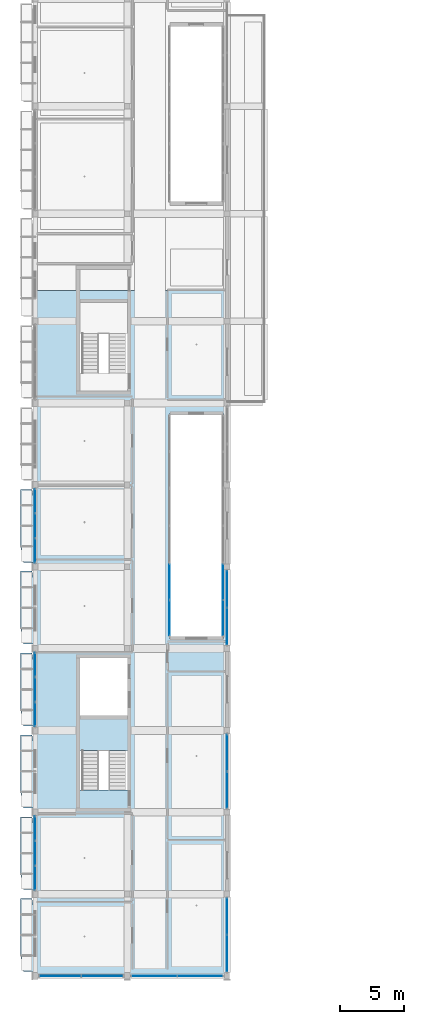
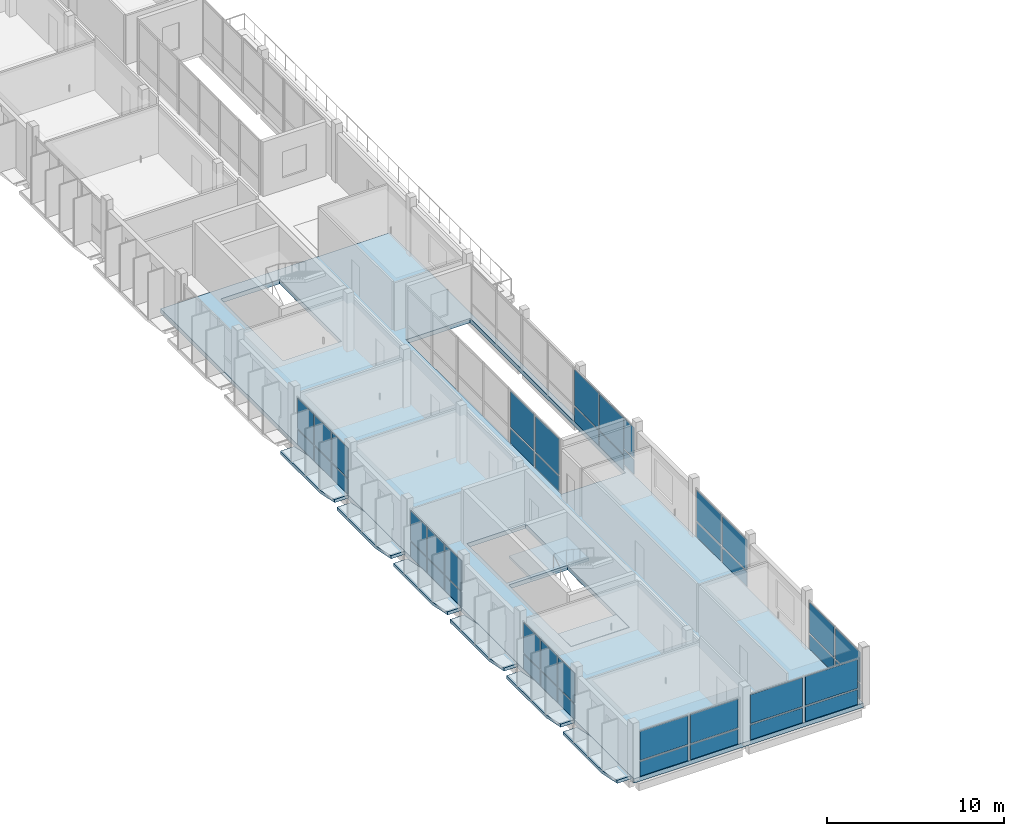
# One storey, part 16 of 48: 46 plates, 9 slabs, 11 elements without a shape of their own.
"""IFC4 building model written with IfcOpenShell, lengths in metres."""

from ifc_helpers import new_model, si_unit, derived_unit, direction, frame, origin, origin_2d, place, context, subcontext, project, spatial, polyline, rectangle, outline, extrude, material, layer, layer_set, type_object, element, aggregate, save


model = new_model("IFC4")

# Units and contexts
model_context = context("Model", 3, precision=1e-05, world=origin(), true_north=direction((0.0, 1.0)))
body_context = subcontext(model_context, "Body", "Model", "MODEL_VIEW")
ifc_project = project(units=[si_unit("LENGTHUNIT", "METRE"), si_unit("AREAUNIT", "SQUARE_METRE"), si_unit("VOLUMEUNIT", "CUBIC_METRE"), si_unit("PLANEANGLEUNIT", "RADIAN"), si_unit("MASSUNIT", "GRAM", prefix="KILO"), derived_unit("THERMALTRANSMITTANCEUNIT", [(si_unit("POWERUNIT", "WATT"), 1), (si_unit("LENGTHUNIT", "METRE"), -2), (si_unit("THERMODYNAMICTEMPERATUREUNIT", "KELVIN"), -1)])], contexts=[model_context])

# Site, building, storey
site_placement = place(None, origin())
site = spatial("IfcSite", under=ifc_project, at=site_placement, CompositionType="ELEMENT")
building_placement = place(site_placement, origin())
building = spatial("IfcBuilding", under=site, at=building_placement, Name="Braskholm Square Health Centre", CompositionType="ELEMENT")
storey_placement = place(building_placement, frame((0.0, 0.0, 17.550048828125)))
storey = spatial("IfcBuildingStorey", under=building, at=storey_placement, Name="L05", CompositionType="ELEMENT", Elevation=17.550048828125)

# Curtain wall, plates
ifc_material_1 = material(Name="Low-E triple insulating glass (VLT 0.64)", Category="glass")
curtain_wall_type_1 = type_object("IfcCurtainWallType", Name="UnitisedCurtainWall6200x3650", PredefinedType="NOTDEFINED", material=ifc_material_1)
curtain_wall_1_placement = place(storey_placement, origin())
curtain_wall_1 = element("IfcCurtainWall", 1, at=curtain_wall_1_placement, inside=storey, type_object=curtain_wall_type_1, Name="West Outer unitised curtain wall CW-L05-0030", PredefinedType="NOTDEFINED")
ifc_material_2 = material(Name="Architectural bronze anodised aluminium", Category="aluminium")
plate_type_1 = type_object("IfcPlateType", Name="CurtainPanelSpandrel1850x1020", PredefinedType="CURTAIN_PANEL", material=ifc_material_2)
plate_1_placement = place(storey_placement, frame((4.199951171875, 15.75341796875, 0.050048828125), z_axis=(0.0, 0.0, 1.0), x_axis=(0.0, -1.0, 0.0)))
plate_1 = element("IfcPlate", 2, at=plate_1_placement, type_object=plate_type_1, Name="CW-L05-0030 spandrel panel 1", PredefinedType="CURTAIN_PANEL", context=body_context, shape_type="SweptSolid", body=[
    extrude(rectangle(XDim=1.836181640625, YDim=0.035888671875, at=origin_2d()), origin(), (0.0, 0.0, 1.0), 1.02001953125),
])
plate_2_placement = place(storey_placement, frame((4.199951171875, 13.800048828125, 0.050048828125), z_axis=(0.0, 0.0, 1.0), x_axis=(0.0, -1.0, 0.0)))
plate_2 = element("IfcPlate", 3, at=plate_2_placement, type_object=plate_type_1, Name="CW-L05-0030 spandrel panel 2", PredefinedType="CURTAIN_PANEL", context=body_context, shape_type="SweptSolid", body=[
    extrude(rectangle(XDim=1.836181640625, YDim=0.035888671875, at=origin_2d()), origin(), (0.0, 0.0, 1.0), 1.02001953125),
])
plate_3_placement = place(storey_placement, frame((4.199951171875, 11.8466796875, 0.050048828125), z_axis=(0.0, 0.0, 1.0), x_axis=(0.0, -1.0, 0.0)))
plate_3 = element("IfcPlate", 4, at=plate_3_placement, type_object=plate_type_1, Name="CW-L05-0030 spandrel panel 3", PredefinedType="CURTAIN_PANEL", context=body_context, shape_type="SweptSolid", body=[
    extrude(rectangle(XDim=1.836181640625, YDim=0.035888671875, at=origin_2d()), origin(), (0.0, 0.0, 1.0), 1.02001953125),
])

curtain_wall_2_placement = place(storey_placement, origin())
curtain_wall_2 = element("IfcCurtainWall", 5, at=curtain_wall_2_placement, inside=storey, type_object=curtain_wall_type_1, Name="West Outer unitised curtain wall CW-L05-0031", PredefinedType="NOTDEFINED")
plate_4_placement = place(storey_placement, frame((4.199951171875, 28.55322265625, 0.050048828125), z_axis=(0.0, 0.0, 1.0), x_axis=(0.0, -1.0, 0.0)))
plate_4 = element("IfcPlate", 6, at=plate_4_placement, type_object=plate_type_1, Name="CW-L05-0031 spandrel panel 1", PredefinedType="CURTAIN_PANEL", context=body_context, shape_type="SweptSolid", body=[
    extrude(rectangle(XDim=1.836181640625, YDim=0.035888671875, at=origin_2d()), origin(), (0.0, 0.0, 1.0), 1.02001953125),
])
plate_5_placement = place(storey_placement, frame((4.199951171875, 26.60009765625, 0.050048828125), z_axis=(0.0, 0.0, 1.0), x_axis=(0.0, -1.0, 0.0)))
plate_5 = element("IfcPlate", 7, at=plate_5_placement, type_object=plate_type_1, Name="CW-L05-0031 spandrel panel 2", PredefinedType="CURTAIN_PANEL", context=body_context, shape_type="SweptSolid", body=[
    extrude(rectangle(XDim=1.836181640625, YDim=0.035888671875, at=origin_2d()), origin(), (0.0, 0.0, 1.0), 1.02001953125),
])
plate_6_placement = place(storey_placement, frame((4.199951171875, 24.646728515625, 0.050048828125), z_axis=(0.0, 0.0, 1.0), x_axis=(0.0, -1.0, 0.0)))
plate_6 = element("IfcPlate", 8, at=plate_6_placement, type_object=plate_type_1, Name="CW-L05-0031 spandrel panel 3", PredefinedType="CURTAIN_PANEL", context=body_context, shape_type="SweptSolid", body=[
    extrude(rectangle(XDim=1.836181640625, YDim=0.035888671875, at=origin_2d()), origin(), (0.0, 0.0, 1.0), 1.02001953125),
])

curtain_wall_3_placement = place(storey_placement, origin())
curtain_wall_3 = element("IfcCurtainWall", 9, at=curtain_wall_3_placement, inside=storey, type_object=curtain_wall_type_1, Name="West Outer unitised curtain wall CW-L05-0032", PredefinedType="NOTDEFINED")
plate_7_placement = place(storey_placement, frame((4.199951171875, 41.353271484375, 0.050048828125), z_axis=(0.0, 0.0, 1.0), x_axis=(0.0, -1.0, 0.0)))
plate_7 = element("IfcPlate", 10, at=plate_7_placement, type_object=plate_type_1, Name="CW-L05-0032 spandrel panel 1", PredefinedType="CURTAIN_PANEL", context=body_context, shape_type="SweptSolid", body=[
    extrude(rectangle(XDim=1.836181640625, YDim=0.035888671875, at=origin_2d()), origin(), (0.0, 0.0, 1.0), 1.02001953125),
])
plate_8_placement = place(storey_placement, frame((4.199951171875, 39.39990234375, 0.050048828125), z_axis=(0.0, 0.0, 1.0), x_axis=(0.0, -1.0, 0.0)))
plate_8 = element("IfcPlate", 11, at=plate_8_placement, type_object=plate_type_1, Name="CW-L05-0032 spandrel panel 2", PredefinedType="CURTAIN_PANEL", context=body_context, shape_type="SweptSolid", body=[
    extrude(rectangle(XDim=1.836181640625, YDim=0.035888671875, at=origin_2d()), origin(), (0.0, 0.0, 1.0), 1.02001953125),
])
plate_9_placement = place(storey_placement, frame((4.199951171875, 37.44677734375, 0.050048828125), z_axis=(0.0, 0.0, 1.0), x_axis=(0.0, -1.0, 0.0)))
plate_9 = element("IfcPlate", 12, at=plate_9_placement, type_object=plate_type_1, Name="CW-L05-0032 spandrel panel 3", PredefinedType="CURTAIN_PANEL", context=body_context, shape_type="SweptSolid", body=[
    extrude(rectangle(XDim=1.836181640625, YDim=0.035888671875, at=origin_2d()), origin(), (0.0, 0.0, 1.0), 1.02001953125),
])

curtain_wall_4_placement = place(storey_placement, origin())
curtain_wall_4 = element("IfcCurtainWall", 13, at=curtain_wall_4_placement, inside=storey, type_object=curtain_wall_type_1, Name="West Valley unitised curtain wall CW-L05-0102", PredefinedType="NOTDEFINED")
plate_type_2 = type_object("IfcPlateType", Name="CurtainPanelSpandrel2750x1020", PredefinedType="CURTAIN_PANEL", material=ifc_material_2)
plate_10_placement = place(storey_placement, frame((19.199951171875, 5.960205078125, 0.050048828125), z_axis=(0.0, 0.0, 1.0), x_axis=(0.0, 1.0, 0.0)))
plate_10 = element("IfcPlate", 14, at=plate_10_placement, type_object=plate_type_2, Name="CW-L05-0102 spandrel panel 1", PredefinedType="CURTAIN_PANEL", context=body_context, shape_type="SweptSolid", body=[
    extrude(rectangle(XDim=2.768310546875, YDim=0.035888671875, at=origin_2d()), origin(), (0.0, 0.0, 1.0), 1.02001953125),
])
plate_11_placement = place(storey_placement, frame((19.199951171875, 8.869873046875, 0.050048828125), z_axis=(0.0, 0.0, 1.0), x_axis=(0.0, 1.0, 0.0)))
plate_11 = element("IfcPlate", 15, at=plate_11_placement, type_object=plate_type_2, Name="CW-L05-0102 spandrel panel 2", PredefinedType="CURTAIN_PANEL", context=body_context, shape_type="SweptSolid", body=[
    extrude(rectangle(XDim=2.768310546875, YDim=0.035888671875, at=origin_2d()), origin(), (0.0, 0.0, 1.0), 1.02001953125),
])

curtain_wall_5_placement = place(storey_placement, origin())
curtain_wall_5 = element("IfcCurtainWall", 16, at=curtain_wall_5_placement, inside=storey, type_object=curtain_wall_type_1, Name="West Valley unitised curtain wall CW-L05-0103", PredefinedType="NOTDEFINED")
plate_12_placement = place(storey_placement, frame((19.199951171875, 18.73779296875, 0.050048828125), z_axis=(0.0, 0.0, 1.0), x_axis=(0.0, 1.0, 0.0)))
plate_12 = element("IfcPlate", 17, at=plate_12_placement, type_object=plate_type_2, Name="CW-L05-0103 spandrel panel 1", PredefinedType="CURTAIN_PANEL", context=body_context, shape_type="SweptSolid", body=[
    extrude(rectangle(XDim=2.782470703125, YDim=0.035888671875, at=origin_2d()), origin(), (0.0, 0.0, 1.0), 1.02001953125),
])
plate_13_placement = place(storey_placement, frame((19.199951171875, 21.662109375, 0.050048828125), z_axis=(0.0, 0.0, 1.0), x_axis=(0.0, 1.0, 0.0)))
plate_13 = element("IfcPlate", 18, at=plate_13_placement, type_object=plate_type_2, Name="CW-L05-0103 spandrel panel 2", PredefinedType="CURTAIN_PANEL", context=body_context, shape_type="SweptSolid", body=[
    extrude(rectangle(XDim=2.782470703125, YDim=0.035888671875, at=origin_2d()), origin(), (0.0, 0.0, 1.0), 1.02001953125),
])

curtain_wall_6_placement = place(storey_placement, origin())
curtain_wall_6 = element("IfcCurtainWall", 19, at=curtain_wall_6_placement, inside=storey, type_object=curtain_wall_type_1, Name="West Valley unitised curtain wall CW-L05-0104", PredefinedType="NOTDEFINED")
plate_14_placement = place(storey_placement, frame((19.199951171875, 31.537841796875, 0.050048828125), z_axis=(0.0, 0.0, 1.0), x_axis=(0.0, 1.0, 0.0)))
plate_14 = element("IfcPlate", 20, at=plate_14_placement, type_object=plate_type_2, Name="CW-L05-0104 spandrel panel 1", PredefinedType="CURTAIN_PANEL", context=body_context, shape_type="SweptSolid", body=[
    extrude(rectangle(XDim=2.782470703125, YDim=0.035888671875, at=origin_2d()), origin(), (0.0, 0.0, 1.0), 1.02001953125),
])
plate_15_placement = place(storey_placement, frame((19.199951171875, 34.462158203125, 0.050048828125), z_axis=(0.0, 0.0, 1.0), x_axis=(0.0, 1.0, 0.0)))
plate_15 = element("IfcPlate", 21, at=plate_15_placement, type_object=plate_type_2, Name="CW-L05-0104 spandrel panel 2", PredefinedType="CURTAIN_PANEL", context=body_context, shape_type="SweptSolid", body=[
    extrude(rectangle(XDim=2.782470703125, YDim=0.035888671875, at=origin_2d()), origin(), (0.0, 0.0, 1.0), 1.02001953125),
])

curtain_wall_type_2 = type_object("IfcCurtainWallType", Name="UnitisedCurtainWall5400x3800", PredefinedType="NOTDEFINED", material=ifc_material_1)
curtain_wall_7_placement = place(storey_placement, origin())
curtain_wall_7 = element("IfcCurtainWall", 22, at=curtain_wall_7_placement, inside=storey, type_object=curtain_wall_type_2, Name="WC1 Court W unitised curtain wall CW-L05-0273", PredefinedType="NOTDEFINED")
plate_16_placement = place(storey_placement, frame((14.699951171875, 32.187744140625, 0.050048828125), z_axis=(0.0, 0.0, 1.0), x_axis=(0.0, 1.0, 0.0)))
plate_16 = element("IfcPlate", 23, at=plate_16_placement, type_object=plate_type_2, Name="CW-L05-0273 spandrel panel 1", PredefinedType="CURTAIN_PANEL", context=body_context, shape_type="SweptSolid", body=[
    extrude(rectangle(XDim=2.689208984375, YDim=0.035888671875, at=origin_2d()), origin(), (0.0, 0.0, 1.0), 1.02001953125),
])
plate_17_placement = place(storey_placement, frame((14.699951171875, 35.014404296875, 0.050048828125), z_axis=(0.0, 0.0, 1.0), x_axis=(0.0, 1.0, 0.0)))
plate_17 = element("IfcPlate", 24, at=plate_17_placement, type_object=plate_type_2, Name="CW-L05-0273 spandrel panel 2", PredefinedType="CURTAIN_PANEL", context=body_context, shape_type="SweptSolid", body=[
    extrude(rectangle(XDim=2.689208984375, YDim=0.035888671875, at=origin_2d()), origin(), (0.0, 0.0, 1.0), 1.02001953125),
])

curtain_wall_8_placement = place(storey_placement, origin())
curtain_wall_8 = element("IfcCurtainWall", 25, at=curtain_wall_8_placement, inside=storey, type_object=curtain_wall_type_2, Name="WC1 Court E unitised curtain wall CW-L05-0274", PredefinedType="NOTDEFINED")
plate_18_placement = place(storey_placement, frame((18.89990234375, 35.014404296875, 0.050048828125), z_axis=(0.0, 0.0, 1.0), x_axis=(0.0, -1.0, 0.0)))
plate_18 = element("IfcPlate", 26, at=plate_18_placement, type_object=plate_type_2, Name="CW-L05-0274 spandrel panel 1", PredefinedType="CURTAIN_PANEL", context=body_context, shape_type="SweptSolid", body=[
    extrude(rectangle(XDim=2.689208984375, YDim=0.035888671875, at=origin_2d()), origin(), (0.0, 0.0, 1.0), 1.02001953125),
])
plate_19_placement = place(storey_placement, frame((18.89990234375, 32.187744140625, 0.050048828125), z_axis=(0.0, 0.0, 1.0), x_axis=(0.0, -1.0, 0.0)))
plate_19 = element("IfcPlate", 27, at=plate_19_placement, type_object=plate_type_2, Name="CW-L05-0274 spandrel panel 2", PredefinedType="CURTAIN_PANEL", context=body_context, shape_type="SweptSolid", body=[
    extrude(rectangle(XDim=2.689208984375, YDim=0.035888671875, at=origin_2d()), origin(), (0.0, 0.0, 1.0), 1.02001953125),
])

curtain_wall_9_placement = place(storey_placement, origin())
curtain_wall_9 = element("IfcCurtainWall", 28, at=curtain_wall_9_placement, inside=storey, type_object=curtain_wall_type_1, Name="Wing End unitised curtain wall CW-L05-0149", PredefinedType="NOTDEFINED")
plate_type_3 = type_object("IfcPlateType", Name="CurtainPanelSpandrel3150x1020", PredefinedType="CURTAIN_PANEL", material=ifc_material_2)
plate_20_placement = place(storey_placement, frame((6.159912109375, 4.199951171875, 0.050048828125), z_axis=(0.0, 0.0, 1.0), x_axis=(1.0, 0.0, 0.0)))
plate_20 = element("IfcPlate", 29, at=plate_20_placement, type_object=plate_type_3, Name="CW-L05-0149 spandrel panel 1", PredefinedType="CURTAIN_PANEL", context=body_context, shape_type="SweptSolid", body=[
    extrude(rectangle(XDim=3.120849609375, YDim=0.035888671875, at=origin_2d()), origin(), (0.0, 0.0, 1.0), 1.02001953125),
])
plate_21_placement = place(storey_placement, frame((9.440185546875, 4.199951171875, 0.050048828125), z_axis=(0.0, 0.0, 1.0), x_axis=(1.0, 0.0, 0.0)))
plate_21 = element("IfcPlate", 30, at=plate_21_placement, type_object=plate_type_3, Name="CW-L05-0149 spandrel panel 2", PredefinedType="CURTAIN_PANEL", context=body_context, shape_type="SweptSolid", body=[
    extrude(rectangle(XDim=3.120849609375, YDim=0.035888671875, at=origin_2d()), origin(), (0.0, 0.0, 1.0), 1.02001953125),
])

curtain_wall_10_placement = place(storey_placement, origin())
curtain_wall_10 = element("IfcCurtainWall", 31, at=curtain_wall_10_placement, inside=storey, type_object=curtain_wall_type_1, Name="Wing End unitised curtain wall CW-L05-0150", PredefinedType="NOTDEFINED")
plate_22_placement = place(storey_placement, frame((13.51171875, 4.199951171875, 0.050048828125), z_axis=(0.0, 0.0, 1.0), x_axis=(1.0, 0.0, 0.0)))
plate_22 = element("IfcPlate", 32, at=plate_22_placement, type_object=plate_type_3, Name="CW-L05-0150 spandrel panel 1", PredefinedType="CURTAIN_PANEL", context=body_context, shape_type="SweptSolid", body=[
    extrude(rectangle(XDim=3.40283203125, YDim=0.035888671875, at=origin_2d()), origin(), (0.0, 0.0, 1.0), 1.02001953125),
])
plate_23_placement = place(storey_placement, frame((17.08837890625, 4.199951171875, 0.050048828125), z_axis=(0.0, 0.0, 1.0), x_axis=(1.0, 0.0, 0.0)))
plate_23 = element("IfcPlate", 33, at=plate_23_placement, type_object=plate_type_3, Name="CW-L05-0150 spandrel panel 2", PredefinedType="CURTAIN_PANEL", context=body_context, shape_type="SweptSolid", body=[
    extrude(rectangle(XDim=3.40283203125, YDim=0.035888671875, at=origin_2d()), origin(), (0.0, 0.0, 1.0), 1.02001953125),
])

# Plate
plate_type_4 = type_object("IfcPlateType", Name="CurtainPanelVision1850x2120", PredefinedType="CURTAIN_PANEL", material=ifc_material_1)
plate_24_placement = place(storey_placement, frame((4.199951171875, 15.75341796875, 1.169921875), z_axis=(0.0, 0.0, 1.0), x_axis=(0.0, -1.0, 0.0)))
plate_24 = element("IfcPlate", 34, at=plate_24_placement, type_object=plate_type_4, Name="CW-L05-0030 vision glass panel 1", PredefinedType="CURTAIN_PANEL", context=body_context, shape_type="SweptSolid", body=[
    extrude(rectangle(XDim=1.836181640625, YDim=0.035888671875, at=origin_2d()), origin(), (0.0, 0.0, 1.0), 2.070068359375),
])

plate_25_placement = place(storey_placement, frame((4.199951171875, 13.800048828125, 1.169921875), z_axis=(0.0, 0.0, 1.0), x_axis=(0.0, -1.0, 0.0)))
plate_25 = element("IfcPlate", 35, at=plate_25_placement, type_object=plate_type_4, Name="CW-L05-0030 vision glass panel 2", PredefinedType="CURTAIN_PANEL", context=body_context, shape_type="SweptSolid", body=[
    extrude(rectangle(XDim=1.836181640625, YDim=0.035888671875, at=origin_2d()), origin(), (0.0, 0.0, 1.0), 2.070068359375),
])

plate_26_placement = place(storey_placement, frame((4.199951171875, 11.8466796875, 1.169921875), z_axis=(0.0, 0.0, 1.0), x_axis=(0.0, -1.0, 0.0)))
plate_26 = element("IfcPlate", 36, at=plate_26_placement, type_object=plate_type_4, Name="CW-L05-0030 vision glass panel 3", PredefinedType="CURTAIN_PANEL", context=body_context, shape_type="SweptSolid", body=[
    extrude(rectangle(XDim=1.836181640625, YDim=0.035888671875, at=origin_2d()), origin(), (0.0, 0.0, 1.0), 2.070068359375),
])

aggregate(curtain_wall_1, [plate_1, plate_24, plate_2, plate_25, plate_3, plate_26])

plate_27_placement = place(storey_placement, frame((4.199951171875, 28.55322265625, 1.169921875), z_axis=(0.0, 0.0, 1.0), x_axis=(0.0, -1.0, 0.0)))
plate_27 = element("IfcPlate", 37, at=plate_27_placement, type_object=plate_type_4, Name="CW-L05-0031 vision glass panel 1", PredefinedType="CURTAIN_PANEL", context=body_context, shape_type="SweptSolid", body=[
    extrude(rectangle(XDim=1.836181640625, YDim=0.035888671875, at=origin_2d()), origin(), (0.0, 0.0, 1.0), 2.070068359375),
])

plate_28_placement = place(storey_placement, frame((4.199951171875, 26.60009765625, 1.169921875), z_axis=(0.0, 0.0, 1.0), x_axis=(0.0, -1.0, 0.0)))
plate_28 = element("IfcPlate", 38, at=plate_28_placement, type_object=plate_type_4, Name="CW-L05-0031 vision glass panel 2", PredefinedType="CURTAIN_PANEL", context=body_context, shape_type="SweptSolid", body=[
    extrude(rectangle(XDim=1.836181640625, YDim=0.035888671875, at=origin_2d()), origin(), (0.0, 0.0, 1.0), 2.070068359375),
])

plate_29_placement = place(storey_placement, frame((4.199951171875, 24.646728515625, 1.169921875), z_axis=(0.0, 0.0, 1.0), x_axis=(0.0, -1.0, 0.0)))
plate_29 = element("IfcPlate", 39, at=plate_29_placement, type_object=plate_type_4, Name="CW-L05-0031 vision glass panel 3", PredefinedType="CURTAIN_PANEL", context=body_context, shape_type="SweptSolid", body=[
    extrude(rectangle(XDim=1.836181640625, YDim=0.035888671875, at=origin_2d()), origin(), (0.0, 0.0, 1.0), 2.070068359375),
])

aggregate(curtain_wall_2, [plate_4, plate_27, plate_5, plate_28, plate_6, plate_29])

plate_30_placement = place(storey_placement, frame((4.199951171875, 41.353271484375, 1.169921875), z_axis=(0.0, 0.0, 1.0), x_axis=(0.0, -1.0, 0.0)))
plate_30 = element("IfcPlate", 40, at=plate_30_placement, type_object=plate_type_4, Name="CW-L05-0032 vision glass panel 1", PredefinedType="CURTAIN_PANEL", context=body_context, shape_type="SweptSolid", body=[
    extrude(rectangle(XDim=1.836181640625, YDim=0.035888671875, at=origin_2d()), origin(), (0.0, 0.0, 1.0), 2.070068359375),
])

plate_31_placement = place(storey_placement, frame((4.199951171875, 39.39990234375, 1.169921875), z_axis=(0.0, 0.0, 1.0), x_axis=(0.0, -1.0, 0.0)))
plate_31 = element("IfcPlate", 41, at=plate_31_placement, type_object=plate_type_4, Name="CW-L05-0032 vision glass panel 2", PredefinedType="CURTAIN_PANEL", context=body_context, shape_type="SweptSolid", body=[
    extrude(rectangle(XDim=1.836181640625, YDim=0.035888671875, at=origin_2d()), origin(), (0.0, 0.0, 1.0), 2.070068359375),
])

plate_32_placement = place(storey_placement, frame((4.199951171875, 37.44677734375, 1.169921875), z_axis=(0.0, 0.0, 1.0), x_axis=(0.0, -1.0, 0.0)))
plate_32 = element("IfcPlate", 42, at=plate_32_placement, type_object=plate_type_4, Name="CW-L05-0032 vision glass panel 3", PredefinedType="CURTAIN_PANEL", context=body_context, shape_type="SweptSolid", body=[
    extrude(rectangle(XDim=1.836181640625, YDim=0.035888671875, at=origin_2d()), origin(), (0.0, 0.0, 1.0), 2.070068359375),
])

aggregate(curtain_wall_3, [plate_7, plate_30, plate_8, plate_31, plate_9, plate_32])

plate_type_5 = type_object("IfcPlateType", Name="CurtainPanelVision2750x2120", PredefinedType="CURTAIN_PANEL", material=ifc_material_1)
plate_33_placement = place(storey_placement, frame((19.199951171875, 5.960205078125, 1.169921875), z_axis=(0.0, 0.0, 1.0), x_axis=(0.0, 1.0, 0.0)))
plate_33 = element("IfcPlate", 43, at=plate_33_placement, type_object=plate_type_5, Name="CW-L05-0102 vision glass panel 1", PredefinedType="CURTAIN_PANEL", context=body_context, shape_type="SweptSolid", body=[
    extrude(rectangle(XDim=2.768310546875, YDim=0.035888671875, at=origin_2d()), origin(), (0.0, 0.0, 1.0), 2.110107421875),
])

plate_34_placement = place(storey_placement, frame((19.199951171875, 8.869873046875, 1.169921875), z_axis=(0.0, 0.0, 1.0), x_axis=(0.0, 1.0, 0.0)))
plate_34 = element("IfcPlate", 44, at=plate_34_placement, type_object=plate_type_5, Name="CW-L05-0102 vision glass panel 2", PredefinedType="CURTAIN_PANEL", context=body_context, shape_type="SweptSolid", body=[
    extrude(rectangle(XDim=2.768310546875, YDim=0.035888671875, at=origin_2d()), origin(), (0.0, 0.0, 1.0), 2.110107421875),
])

aggregate(curtain_wall_4, [plate_10, plate_33, plate_11, plate_34])

plate_35_placement = place(storey_placement, frame((19.199951171875, 18.73779296875, 1.169921875), z_axis=(0.0, 0.0, 1.0), x_axis=(0.0, 1.0, 0.0)))
plate_35 = element("IfcPlate", 45, at=plate_35_placement, type_object=plate_type_5, Name="CW-L05-0103 vision glass panel 1", PredefinedType="CURTAIN_PANEL", context=body_context, shape_type="SweptSolid", body=[
    extrude(rectangle(XDim=2.782470703125, YDim=0.035888671875, at=origin_2d()), origin(), (0.0, 0.0, 1.0), 2.110107421875),
])

plate_36_placement = place(storey_placement, frame((19.199951171875, 21.662109375, 1.169921875), z_axis=(0.0, 0.0, 1.0), x_axis=(0.0, 1.0, 0.0)))
plate_36 = element("IfcPlate", 46, at=plate_36_placement, type_object=plate_type_5, Name="CW-L05-0103 vision glass panel 2", PredefinedType="CURTAIN_PANEL", context=body_context, shape_type="SweptSolid", body=[
    extrude(rectangle(XDim=2.782470703125, YDim=0.035888671875, at=origin_2d()), origin(), (0.0, 0.0, 1.0), 2.110107421875),
])

aggregate(curtain_wall_5, [plate_12, plate_35, plate_13, plate_36])

plate_37_placement = place(storey_placement, frame((19.199951171875, 31.537841796875, 1.169921875), z_axis=(0.0, 0.0, 1.0), x_axis=(0.0, 1.0, 0.0)))
plate_37 = element("IfcPlate", 47, at=plate_37_placement, type_object=plate_type_5, Name="CW-L05-0104 vision glass panel 1", PredefinedType="CURTAIN_PANEL", context=body_context, shape_type="SweptSolid", body=[
    extrude(rectangle(XDim=2.782470703125, YDim=0.035888671875, at=origin_2d()), origin(), (0.0, 0.0, 1.0), 2.110107421875),
])

plate_38_placement = place(storey_placement, frame((19.199951171875, 34.462158203125, 1.169921875), z_axis=(0.0, 0.0, 1.0), x_axis=(0.0, 1.0, 0.0)))
plate_38 = element("IfcPlate", 48, at=plate_38_placement, type_object=plate_type_5, Name="CW-L05-0104 vision glass panel 2", PredefinedType="CURTAIN_PANEL", context=body_context, shape_type="SweptSolid", body=[
    extrude(rectangle(XDim=2.782470703125, YDim=0.035888671875, at=origin_2d()), origin(), (0.0, 0.0, 1.0), 2.110107421875),
])

aggregate(curtain_wall_6, [plate_14, plate_37, plate_15, plate_38])

plate_type_6 = type_object("IfcPlateType", Name="CurtainPanelVision2750x2520", PredefinedType="CURTAIN_PANEL", material=ifc_material_1)
plate_39_placement = place(storey_placement, frame((14.699951171875, 32.187744140625, 1.169921875), z_axis=(0.0, 0.0, 1.0), x_axis=(0.0, 1.0, 0.0)))
plate_39 = element("IfcPlate", 49, at=plate_39_placement, type_object=plate_type_6, Name="CW-L05-0273 vision glass panel 1", PredefinedType="CURTAIN_PANEL", context=body_context, shape_type="SweptSolid", body=[
    extrude(rectangle(XDim=2.689208984375, YDim=0.035888671875, at=origin_2d()), origin(), (0.0, 0.0, 1.0), 2.489990234375),
])

plate_40_placement = place(storey_placement, frame((14.699951171875, 35.014404296875, 1.169921875), z_axis=(0.0, 0.0, 1.0), x_axis=(0.0, 1.0, 0.0)))
plate_40 = element("IfcPlate", 50, at=plate_40_placement, type_object=plate_type_6, Name="CW-L05-0273 vision glass panel 2", PredefinedType="CURTAIN_PANEL", context=body_context, shape_type="SweptSolid", body=[
    extrude(rectangle(XDim=2.689208984375, YDim=0.035888671875, at=origin_2d()), origin(), (0.0, 0.0, 1.0), 2.489990234375),
])

aggregate(curtain_wall_7, [plate_16, plate_39, plate_17, plate_40])

plate_41_placement = place(storey_placement, frame((18.89990234375, 35.014404296875, 1.169921875), z_axis=(0.0, 0.0, 1.0), x_axis=(0.0, -1.0, 0.0)))
plate_41 = element("IfcPlate", 51, at=plate_41_placement, type_object=plate_type_6, Name="CW-L05-0274 vision glass panel 1", PredefinedType="CURTAIN_PANEL", context=body_context, shape_type="SweptSolid", body=[
    extrude(rectangle(XDim=2.689208984375, YDim=0.035888671875, at=origin_2d()), origin(), (0.0, 0.0, 1.0), 2.489990234375),
])

plate_42_placement = place(storey_placement, frame((18.89990234375, 32.187744140625, 1.169921875), z_axis=(0.0, 0.0, 1.0), x_axis=(0.0, -1.0, 0.0)))
plate_42 = element("IfcPlate", 52, at=plate_42_placement, type_object=plate_type_6, Name="CW-L05-0274 vision glass panel 2", PredefinedType="CURTAIN_PANEL", context=body_context, shape_type="SweptSolid", body=[
    extrude(rectangle(XDim=2.689208984375, YDim=0.035888671875, at=origin_2d()), origin(), (0.0, 0.0, 1.0), 2.489990234375),
])

aggregate(curtain_wall_8, [plate_18, plate_41, plate_19, plate_42])

plate_type_7 = type_object("IfcPlateType", Name="CurtainPanelVision3150x2120", PredefinedType="CURTAIN_PANEL", material=ifc_material_1)
plate_43_placement = place(storey_placement, frame((6.159912109375, 4.199951171875, 1.169921875), z_axis=(0.0, 0.0, 1.0), x_axis=(1.0, 0.0, 0.0)))
plate_43 = element("IfcPlate", 53, at=plate_43_placement, type_object=plate_type_7, Name="CW-L05-0149 vision glass panel 1", PredefinedType="CURTAIN_PANEL", context=body_context, shape_type="SweptSolid", body=[
    extrude(rectangle(XDim=3.120849609375, YDim=0.035888671875, at=origin_2d()), origin(), (0.0, 0.0, 1.0), 1.989990234375),
])

plate_44_placement = place(storey_placement, frame((9.440185546875, 4.199951171875, 1.169921875), z_axis=(0.0, 0.0, 1.0), x_axis=(1.0, 0.0, 0.0)))
plate_44 = element("IfcPlate", 54, at=plate_44_placement, type_object=plate_type_7, Name="CW-L05-0149 vision glass panel 2", PredefinedType="CURTAIN_PANEL", context=body_context, shape_type="SweptSolid", body=[
    extrude(rectangle(XDim=3.120849609375, YDim=0.035888671875, at=origin_2d()), origin(), (0.0, 0.0, 1.0), 1.989990234375),
])

aggregate(curtain_wall_9, [plate_20, plate_43, plate_21, plate_44])

plate_45_placement = place(storey_placement, frame((13.51171875, 4.199951171875, 1.169921875), z_axis=(0.0, 0.0, 1.0), x_axis=(1.0, 0.0, 0.0)))
plate_45 = element("IfcPlate", 55, at=plate_45_placement, type_object=plate_type_7, Name="CW-L05-0150 vision glass panel 1", PredefinedType="CURTAIN_PANEL", context=body_context, shape_type="SweptSolid", body=[
    extrude(rectangle(XDim=3.40283203125, YDim=0.035888671875, at=origin_2d()), origin(), (0.0, 0.0, 1.0), 1.989990234375),
])

plate_46_placement = place(storey_placement, frame((17.08837890625, 4.199951171875, 1.169921875), z_axis=(0.0, 0.0, 1.0), x_axis=(1.0, 0.0, 0.0)))
plate_46 = element("IfcPlate", 56, at=plate_46_placement, type_object=plate_type_7, Name="CW-L05-0150 vision glass panel 2", PredefinedType="CURTAIN_PANEL", context=body_context, shape_type="SweptSolid", body=[
    extrude(rectangle(XDim=3.40283203125, YDim=0.035888671875, at=origin_2d()), origin(), (0.0, 0.0, 1.0), 1.989990234375),
])

aggregate(curtain_wall_10, [plate_22, plate_45, plate_23, plate_46])

# Slabs
ifc_material_3 = material(Name="Precast concrete C40/50 architectural white", Category="concrete")
ifc_layer_1 = layer(ifc_material_3, 0.2099609375)
ifc_layer_set_1 = layer_set([ifc_layer_1], Name="Precast concrete C40/50 architectural white")
slab_type_1 = type_object("IfcSlabType", Name="PitchedAndCrownRoofSlab150", PredefinedType="ROOF", material=ifc_layer_set_1)
slab_1_placement = place(storey_placement, frame((0.0, 0.0, -0.2099609375)))
element("IfcSlab", 57, at=slab_1_placement, inside=storey, type_object=slab_type_1, Name="Level L05 West precast planter ledge 049", PredefinedType="ROOF", context=body_context, shape_type="SweptSolid", body=[
    extrude(outline(polyline([(3.302978515625, 4.550048828125), (4.199951171875, 4.550048828125), (4.199951171875, 8.99609375), (3.947021484375, 10.25), (3.050048828125, 10.25), (3.050048828125, 5.803955078125), (3.302978515625, 4.550048828125)])), origin(), (0.0, 0.0, 1.0), 0.2099609375),
])
slab_2_placement = place(storey_placement, frame((0.0, 0.0, -0.2099609375)))
element("IfcSlab", 58, at=slab_2_placement, inside=storey, type_object=slab_type_1, Name="Level L05 West precast planter ledge 050", PredefinedType="ROOF", context=body_context, shape_type="SweptSolid", body=[
    extrude(outline(polyline([(3.302978515625, 10.949951171875), (4.199951171875, 10.949951171875), (4.199951171875, 15.39599609375), (3.947021484375, 16.64990234375), (3.050048828125, 16.64990234375), (3.050048828125, 12.2041015625), (3.302978515625, 10.949951171875)])), origin(), (0.0, 0.0, 1.0), 0.2099609375),
])
slab_3_placement = place(storey_placement, frame((0.0, 0.0, -0.2099609375)))
element("IfcSlab", 59, at=slab_3_placement, inside=storey, type_object=slab_type_1, Name="Level L05 West precast planter ledge 051", PredefinedType="ROOF", context=body_context, shape_type="SweptSolid", body=[
    extrude(outline(polyline([(3.302978515625, 17.35009765625), (4.199951171875, 17.35009765625), (4.199951171875, 21.7958984375), (3.947021484375, 23.050048828125), (3.050048828125, 23.050048828125), (3.050048828125, 18.60400390625), (3.302978515625, 17.35009765625)])), origin(), (0.0, 0.0, 1.0), 0.2099609375),
])
slab_4_placement = place(storey_placement, frame((0.0, 0.0, -0.2099609375)))
element("IfcSlab", 60, at=slab_4_placement, inside=storey, type_object=slab_type_1, Name="Level L05 West precast planter ledge 052", PredefinedType="ROOF", context=body_context, shape_type="SweptSolid", body=[
    extrude(outline(polyline([(3.302978515625, 23.75), (4.199951171875, 23.75), (4.199951171875, 28.196044921875), (3.947021484375, 29.449951171875), (3.050048828125, 29.449951171875), (3.050048828125, 25.00390625), (3.302978515625, 23.75)])), origin(), (0.0, 0.0, 1.0), 0.2099609375),
])
slab_5_placement = place(storey_placement, frame((0.0, 0.0, -0.2099609375)))
element("IfcSlab", 61, at=slab_5_placement, inside=storey, type_object=slab_type_1, Name="Level L05 West precast planter ledge 053", PredefinedType="ROOF", context=body_context, shape_type="SweptSolid", body=[
    extrude(outline(polyline([(3.302978515625, 30.14990234375), (4.199951171875, 30.14990234375), (4.199951171875, 34.595947265625), (3.947021484375, 35.85009765625), (3.050048828125, 35.85009765625), (3.050048828125, 31.404052734375), (3.302978515625, 30.14990234375)])), origin(), (0.0, 0.0, 1.0), 0.2099609375),
])
slab_6_placement = place(storey_placement, frame((0.0, 0.0, -0.2099609375)))
element("IfcSlab", 62, at=slab_6_placement, inside=storey, type_object=slab_type_1, Name="Level L05 West precast planter ledge 054", PredefinedType="ROOF", context=body_context, shape_type="SweptSolid", body=[
    extrude(outline(polyline([(3.302978515625, 36.550048828125), (4.199951171875, 36.550048828125), (4.199951171875, 40.99609375), (3.947021484375, 42.25), (3.050048828125, 42.25), (3.050048828125, 37.803955078125), (3.302978515625, 36.550048828125)])), origin(), (0.0, 0.0, 1.0), 0.2099609375),
])

# Stair, slabs
ifc_material_4 = material(Name="Concrete C35/45 (f'c = 35 MPa)", Category="concrete")
stair_type = type_object("IfcStairType", Name="ExitReturnStairL04", PredefinedType="HALF_TURN_STAIR", material=ifc_material_4)
stair_placement = place(storey_placement, origin())
stair = element("IfcStair", 63, at=stair_placement, inside=storey, type_object=stair_type, Name="Enclosed exit stair ST-01 L05 to L06", PredefinedType="HALF_TURN_STAIR")
ifc_layer_2 = layer(ifc_material_4, 0.179931640625)
ifc_layer_set_2 = layer_set([ifc_layer_2], Name="Concrete C35/45 (f'c = 35 MPa)")
slab_type_2 = type_object("IfcSlabType", Name="StairLandingSlab180", PredefinedType="LANDING", material=ifc_layer_set_2)
slab_7_placement = place(storey_placement, frame((0.0, 0.0, 1.844970703125)))
slab_7 = element("IfcSlab", 64, at=slab_7_placement, type_object=slab_type_2, Name="Stair ST-01 half-landing L05", PredefinedType="LANDING", context=body_context, shape_type="SweptSolid", body=[
    extrude(outline(polyline([(7.64990234375, 21.840087890625), (11.449951171875, 21.840087890625), (11.449951171875, 24.300048828125), (7.64990234375, 24.300048828125), (7.64990234375, 21.840087890625)])), origin(), (0.0, 0.0, 1.0), 0.179931640625),
])
slab_8_placement = place(storey_placement, frame((0.0, 0.0, -0.179931640625)))
slab_8 = element("IfcSlab", 65, at=slab_8_placement, type_object=slab_type_2, Name="Stair ST-01 floor landing L05", PredefinedType="LANDING", context=body_context, shape_type="SweptSolid", body=[
    extrude(outline(polyline([(7.64990234375, 17.300048828125), (11.449951171875, 17.300048828125), (11.449951171875, 18.760009765625), (7.64990234375, 18.760009765625), (7.64990234375, 17.300048828125)])), origin(), (0.0, 0.0, 1.0), 0.179931640625),
])
aggregate(stair, [slab_7, slab_8])

# Slab
ifc_layer_3 = layer(ifc_material_4, 0.300048828125)
ifc_layer_set_3 = layer_set([ifc_layer_3], Name="Concrete C35/45 (f'c = 35 MPa)")
slab_type_3 = type_object("IfcSlabType", Name="TwoWayClinicalFlatSlab300", PredefinedType="FLOOR", material=ifc_layer_set_3)
slab_9_placement = place(storey_placement, frame((0.0, 0.0, -0.300048828125)))
element("IfcSlab", 66, at=slab_9_placement, inside=storey, type_object=slab_type_3, Name="Level L05 V4W West South cardiology consulting slab", PredefinedType="FLOOR", context=body_context, shape_type="SweptSolid", body=[
    extrude(outline(polyline([(4.199951171875, 4.199951171875), (19.199951171875, 4.199951171875), (19.199951171875, 57.800048828125), (4.199951171875, 57.800048828125), (4.199951171875, 4.199951171875)]), holes=[polyline([(7.6298828125, 17.280029296875), (11.469970703125, 17.280029296875), (11.469970703125, 24.320068359375), (7.6298828125, 24.320068359375), (7.6298828125, 17.280029296875)]), polyline([(7.6298828125, 24.550048828125), (11.469970703125, 24.550048828125), (11.469970703125, 29.050048828125), (7.6298828125, 29.050048828125), (7.6298828125, 24.550048828125)]), polyline([(7.6298828125, 49.8798828125), (11.469970703125, 49.8798828125), (11.469970703125, 56.919921875), (7.6298828125, 56.919921875), (7.6298828125, 49.8798828125)]), polyline([(14.699951171875, 30.60009765625), (18.89990234375, 30.60009765625), (18.89990234375, 48.199951171875), (14.699951171875, 48.199951171875), (14.699951171875, 30.60009765625)])]), origin(), (0.0, 0.0, 1.0), 0.300048828125),
])

save(model, "model.ifc")
